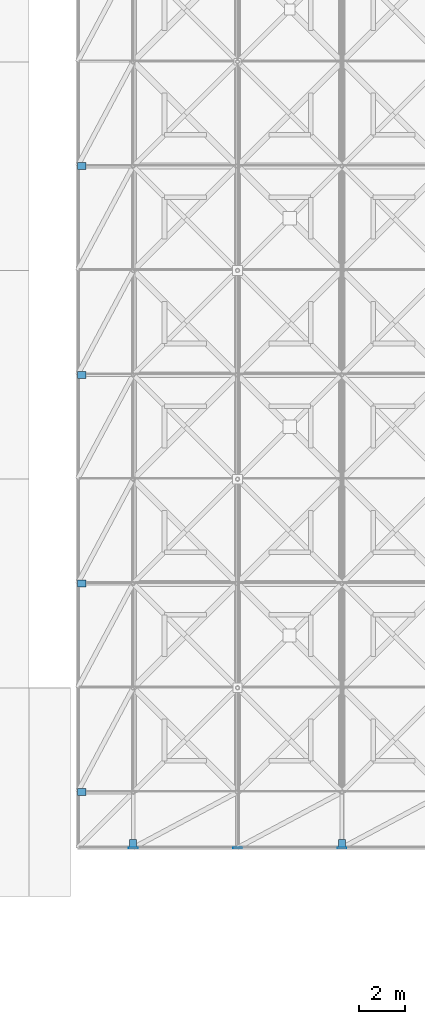
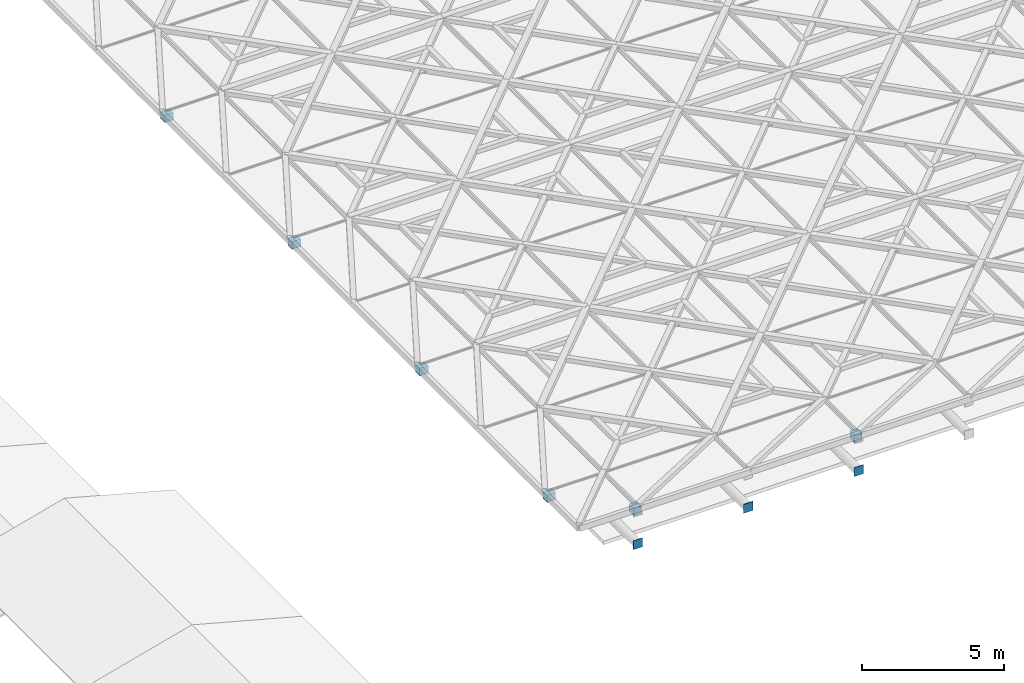
# One storey, part 73 of 80: 9 discrete accessories.
"""IFC4 building model written with IfcOpenShell, lengths in metres."""

import ifcopenshell
import ifcopenshell.guid

model = None  # the IFC model being written
_history = None  # IfcOwnerHistory: only IFC2X3 demands one
_inside = {}  # id of a spatial element -> (the spatial element, [elements in it])
_under = {}  # id of a project, library or spatial element -> (it, [spatial elements below it])
_declared = {}  # id of a project -> (the project, [libraries it declares])
_typed = {}  # id of a type object -> (the type object, [elements of that type])
_made_of = {}  # id of a material, layer set ... -> (it, [elements and type objects made of it])


def new_model(schema):
    """Start an empty IFC model of exactly this schema.

    Asked for "IFC4X3", IfcOpenShell would pick the latest addendum, in which some entities
    have other attributes; the version numbers below select the first issue.
    IFC2X3 requires an IfcOwnerHistory on every rooted entity: one is made here for all.
    """
    global model, _history
    if schema == "IFC4X3":
        model = ifcopenshell.file(schema_version=(4, 3, 0, 0))
    else:
        model = ifcopenshell.file(schema=schema)
    _inside.clear()
    _under.clear()
    _declared.clear()
    _typed.clear()
    _made_of.clear()
    _history = None
    if model.schema == "IFC2X3":
        org = make("IfcOrganization", Name="unknown")
        user = make(
            "IfcPersonAndOrganization",
            ThePerson=make("IfcPerson", FamilyName="unknown"),
            TheOrganization=org,
        )
        app = make(
            "IfcApplication",
            ApplicationDeveloper=org,
            Version="unknown",
            ApplicationFullName="unknown",
            ApplicationIdentifier="unknown",
        )
        _history = make(
            "IfcOwnerHistory",
            OwningUser=user,
            OwningApplication=app,
            ChangeAction="ADDED",
            CreationDate=0,
        )
    return model


def make(cls, **values):
    """One entity of the class cls with the attributes given. An attribute that is None is left unset."""
    return model.create_entity(
        cls, **{name: value for name, value in values.items() if value is not None}
    )


def rooted(cls, **values):
    """An entity with a GlobalId (a new one), such as an element, a storey or a relation."""
    return make(cls, GlobalId=ifcopenshell.guid.new(), OwnerHistory=_history, **values)


def si_unit(unit_type, name, prefix=None):
    """IfcSIUnit, for example si_unit("LENGTHUNIT", "METRE", prefix="MILLI")."""
    return make("IfcSIUnit", UnitType=unit_type, Prefix=prefix, Name=name)


def assignment(units):
    """IfcUnitAssignment: the units of a project."""
    return None if units is None else make("IfcUnitAssignment", Units=units)


def point(xyz):
    """IfcCartesianPoint."""
    return None if xyz is None else make("IfcCartesianPoint", Coordinates=xyz)


def direction(xyz):
    """IfcDirection."""
    return None if xyz is None else make("IfcDirection", DirectionRatios=xyz)


def frame(location, z_axis=None, x_axis=None):
    """IfcAxis2Placement3D, a coordinate frame: its origin and axes. An axis left out is left unset."""
    return make(
        "IfcAxis2Placement3D",
        Location=point(location),
        Axis=direction(z_axis),
        RefDirection=direction(x_axis),
    )


def frame_2d(location, x_axis=None):
    """IfcAxis2Placement2D, a coordinate frame in the plane: its origin and x axis."""
    return make(
        "IfcAxis2Placement2D", Location=point(location), RefDirection=direction(x_axis)
    )


def origin():
    """The frame at (0, 0, 0) with its axes left unset."""
    return frame((0.0, 0.0, 0.0))


def origin_2d():
    """The frame at (0, 0) in the plane with its x axis left unset."""
    return frame_2d((0.0, 0.0))


def place(relative_to, where):
    """IfcLocalPlacement: puts the frame where relative to a parent placement (None: the world)."""
    return make(
        "IfcLocalPlacement", PlacementRelTo=relative_to, RelativePlacement=where
    )


def context(
    kind, dimensions, precision=None, world=None, true_north=None, identifier=None
):
    """IfcGeometricRepresentationContext, for example the 3D "Model" context."""
    return make(
        "IfcGeometricRepresentationContext",
        ContextIdentifier=identifier,
        ContextType=kind,
        CoordinateSpaceDimension=dimensions,
        Precision=precision,
        WorldCoordinateSystem=world,
        TrueNorth=true_north,
    )


def subcontext(parent, identifier, kind, view, scale=None):
    """IfcGeometricRepresentationSubContext, for example "Body" below "Model"."""
    return make(
        "IfcGeometricRepresentationSubContext",
        ContextIdentifier=identifier,
        ContextType=kind,
        ParentContext=parent,
        TargetScale=scale,
        TargetView=view,
    )


def project(units=None, contexts=None):
    """IfcProject with its units and contexts."""
    return rooted(
        "IfcProject",
        Name="project",
        RepresentationContexts=contexts,
        UnitsInContext=assignment(units),
    )


def spatial(cls, under=None, at=None, **own):
    """A site, building, storey or space (cls), placed at a placement, below another one or the project."""
    s = rooted(cls, ObjectPlacement=at, **own)
    if under is not None:
        _under.setdefault(under.id(), (under, []))[1].append(s)
    return s


def profile(cls, at=None, kind="AREA", **sizes):
    """A parametric profile (cls). Its sizes go by their IFC names, for example OverallWidth=200.0."""
    return make(cls, ProfileType=kind, Position=at, **sizes)


def rectangle(**sizes):
    """IfcRectangleProfileDef."""
    return profile("IfcRectangleProfileDef", **sizes)


def extrude(swept, where, along, depth):
    """IfcExtrudedAreaSolid: the profile swept, set in the frame where, extruded along a direction by depth."""
    return make(
        "IfcExtrudedAreaSolid",
        SweptArea=swept,
        Position=where,
        ExtrudedDirection=direction(along),
        Depth=depth,
    )


def shape(context_of_items, identifier, shape_type, items):
    """IfcShapeRepresentation: the items that make up one representation, for example the "Body"."""
    return make(
        "IfcShapeRepresentation",
        ContextOfItems=context_of_items,
        RepresentationIdentifier=identifier,
        RepresentationType=shape_type,
        Items=items,
    )


def material(Name=None, Category=None):
    """IfcMaterial."""
    return make("IfcMaterial", Name=Name, Category=Category)


def made_of(thing, what):
    """Note that an element or type object is made of a material, layer set ...; save() writes the relation."""
    if what is not None:
        _made_of.setdefault(what.id(), (what, []))[1].append(thing)
    return thing


def type_object(cls, material=None, **own):
    """A type object (cls), such as IfcWallType, which elements share."""
    return made_of(rooted(cls, **own), material)


def element(
    cls,
    number,
    at=None,
    inside=None,
    cuts=None,
    type_object=None,
    material=None,
    context=None,
    identifier="Body",
    shape_type=None,
    held_by="IfcProductDefinitionShape",
    body=None,
    shapes=None,
    **own,
):
    """One element of the class cls, such as IfcWall. Its Tag is "e" and its number.

    at: its placement. inside: the storey or other place that contains it. cuts: it is an
    opening in that element (IfcRelVoidsElement). A single representation is given by context,
    identifier, shape_type and body (its items); several are given by shapes. held_by: the class
    of the entity that holds the representations. save() writes the other relations.
    """
    e = rooted(cls, Tag="e%d" % number, ObjectPlacement=at, **own)
    if body is not None:
        shapes = [shape(context, identifier, shape_type, body)]
    if shapes is not None:
        e.Representation = make(held_by, Representations=shapes)
    if inside is not None:
        _inside.setdefault(inside.id(), (inside, []))[1].append(e)
    if cuts is not None:
        rooted(
            "IfcRelVoidsElement", RelatingBuildingElement=cuts, RelatedOpeningElement=e
        )
    if type_object is not None:
        _typed.setdefault(type_object.id(), (type_object, []))[1].append(e)
    return made_of(e, material)


def aggregate(whole, parts):
    """IfcRelAggregates: a whole, such as a stair, and the parts it consists of."""
    return rooted("IfcRelAggregates", RelatingObject=whole, RelatedObjects=parts)


def save(model, path):
    """Write the relations noted so far, then the file.

    IfcRelAggregates (storeys below a building ...), IfcRelContainedInSpatialStructure (elements
    in a storey), IfcRelDefinesByType, IfcRelAssociatesMaterial and IfcRelDeclares: one each for
    every whole, place, type object, material and project.
    """
    for whole, parts in _under.values():
        aggregate(whole, parts)
    for where, things in _inside.values():
        rooted(
            "IfcRelContainedInSpatialStructure",
            RelatedElements=things,
            RelatingStructure=where,
        )
    for kind, things in _typed.values():
        rooted("IfcRelDefinesByType", RelatedObjects=things, RelatingType=kind)
    for what, things in _made_of.values():
        rooted("IfcRelAssociatesMaterial", RelatedObjects=things, RelatingMaterial=what)
    for by, libraries in _declared.values():
        rooted("IfcRelDeclares", RelatingContext=by, RelatedDefinitions=libraries)
    model.write(path)


model = new_model("IFC4")

# Units and contexts
model_context = context("Model", 3, precision=1e-05, world=origin(), true_north=direction((0.0, 1.0)))
body_context = subcontext(model_context, "Body", "Model", "MODEL_VIEW")
ifc_project = project(units=[si_unit("LENGTHUNIT", "METRE"), si_unit("AREAUNIT", "SQUARE_METRE"), si_unit("VOLUMEUNIT", "CUBIC_METRE"), si_unit("PLANEANGLEUNIT", "RADIAN"), si_unit("MASSUNIT", "GRAM", prefix="KILO"), si_unit("THERMODYNAMICTEMPERATUREUNIT", "KELVIN"), si_unit("POWERUNIT", "WATT")], contexts=[model_context])

# Site, building, storey
site_placement = place(None, origin())
site = spatial("IfcSite", under=ifc_project, at=site_placement, CompositionType="ELEMENT")
building_placement = place(site_placement, origin())
building = spatial("IfcBuilding", under=site, at=building_placement, Name="Tallowbark Science Centre", CompositionType="ELEMENT")
storey_placement = place(building_placement, frame((0.0, 0.0, 25.949951171875)))
storey = spatial("IfcBuildingStorey", under=building, at=storey_placement, Name="ROOF", CompositionType="ELEMENT", Elevation=25.949951171875)

# Discrete accessories
ifc_material_1 = material(Name="White Architectural Painted Steel Grade C350L0 (350 MPa)", Category="steel")
discrete_accessory_type_1 = type_object("IfcDiscreteAccessoryType", Name="ACC-BRK-OUT", PredefinedType="BRACKET", material=ifc_material_1)
for number, where, z_axis, x_axis, name in (
    (1, (58.5, 2.280029296875, 0.0400390625), (0.0, 0.0, 1.0), (1.0, 0.0, 0.0), "Outrigger Gusset Bracket S-101"),
    (2, (67.5, 2.280029296875, 0.0400390625), (0.0, 0.0, 1.0), (1.0, 0.0, 0.0), "Outrigger Gusset Bracket S-103"),
):
    element("IfcDiscreteAccessory", number, at=place(storey_placement, frame(where, z_axis=z_axis, x_axis=x_axis)), inside=storey, type_object=discrete_accessory_type_1, Name=name, PredefinedType="BRACKET", context=body_context, shape_type="SweptSolid", body=[
        extrude(rectangle(XDim=0.300048828125, YDim=0.35009765625, at=origin_2d()), origin(), (0.0, 0.0, 1.0), 0.320068359375),
    ])
for number, where, z_axis, x_axis, name in (
    (3, (56.280029296875, 4.5, 0.0400390625), (0.0, 0.0, 1.0), (1.0, 0.0, 0.0), "Outrigger Gusset Bracket W-113"),
    (4, (56.280029296875, 13.5, 0.0400390625), (0.0, 0.0, 1.0), (1.0, 0.0, 0.0), "Outrigger Gusset Bracket W-115"),
    (5, (56.280029296875, 22.5, 0.0400390625), (0.0, 0.0, 1.0), (1.0, 0.0, 0.0), "Outrigger Gusset Bracket W-117"),
    (6, (56.280029296875, 31.5, 0.0400390625), (0.0, 0.0, 1.0), (1.0, 0.0, 0.0), "Outrigger Gusset Bracket W-119"),
):
    element("IfcDiscreteAccessory", number, at=place(storey_placement, frame(where, z_axis=z_axis, x_axis=x_axis)), inside=storey, type_object=discrete_accessory_type_1, Name=name, PredefinedType="BRACKET", context=body_context, shape_type="SweptSolid", body=[
        extrude(rectangle(XDim=0.35009765625, YDim=0.300048828125, at=origin_2d()), origin(), (0.0, 0.0, 1.0), 0.320068359375),
    ])
ifc_material_2 = material(Name="Structural Steel Grade C350L0 (350 MPa)", Category="steel")
discrete_accessory_type_2 = type_object("IfcDiscreteAccessoryType", Name="ACC-CAP-380", PredefinedType="BRACKET", material=ifc_material_2)
for number, where, z_axis, x_axis, name in (
    (7, (58.5, 2.090087890625, -1.389892578125), (0.0, 0.0, 1.0), (1.0, 0.0, 0.0), "Truss Bottom Chord End Cap S-1"),
    (8, (63.0, 2.090087890625, -1.389892578125), (0.0, 0.0, 1.0), (1.0, 0.0, 0.0), "Truss Bottom Chord End Cap S-2"),
    (9, (67.5, 2.090087890625, -1.389892578125), (0.0, 0.0, 1.0), (1.0, 0.0, 0.0), "Truss Bottom Chord End Cap S-3"),
):
    element("IfcDiscreteAccessory", number, at=place(storey_placement, frame(where, z_axis=z_axis, x_axis=x_axis)), inside=storey, type_object=discrete_accessory_type_2, Name=name, PredefinedType="BRACKET", context=body_context, shape_type="SweptSolid", body=[
        extrude(rectangle(XDim=0.3798828125, YDim=0.02392578125, at=origin_2d()), origin(), (0.0, 0.0, 1.0), 0.3798828125),
    ])

save(model, "model.ifc")
